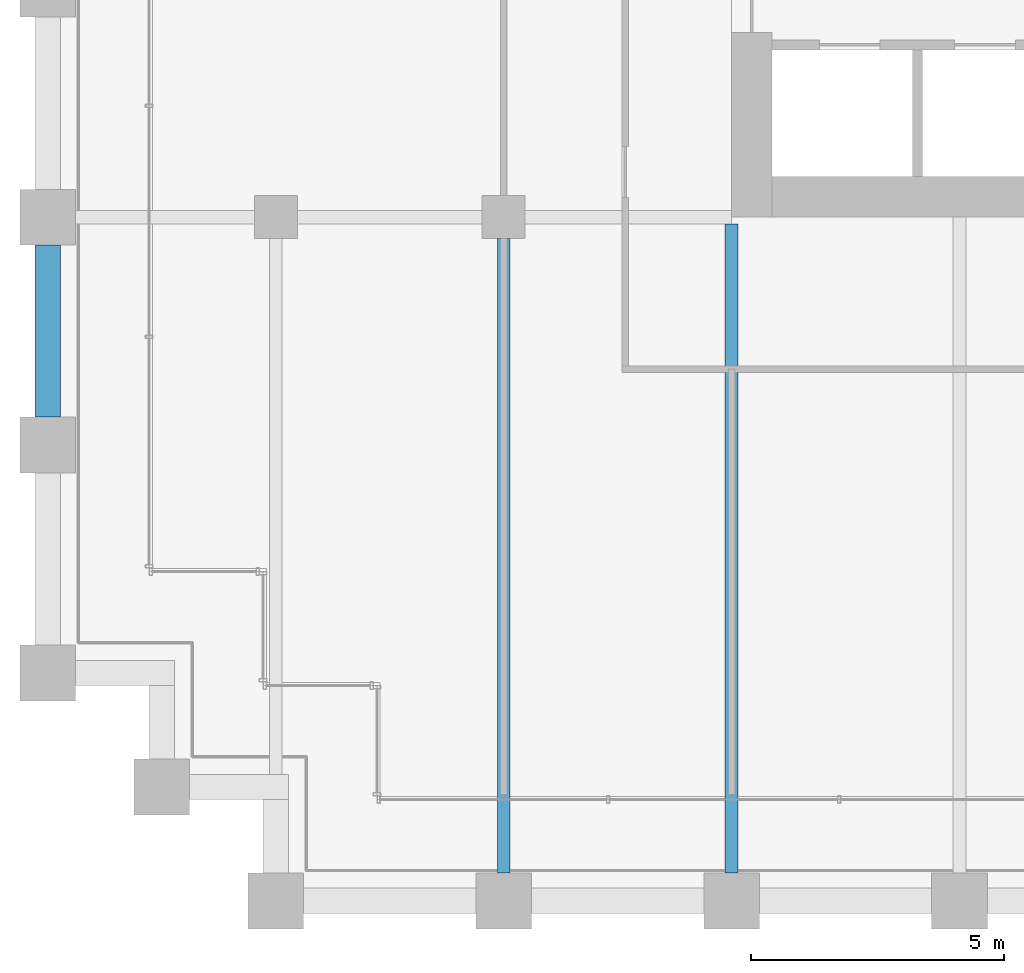
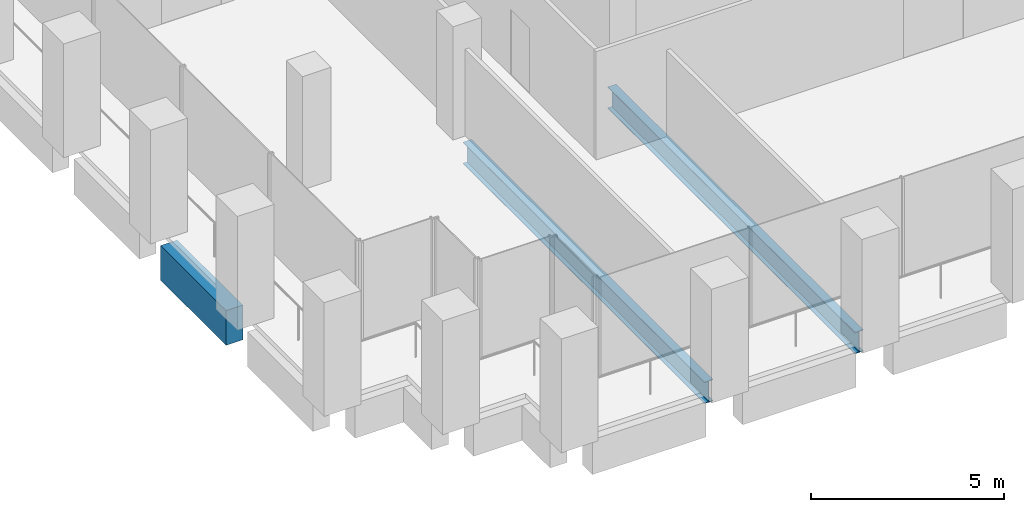
# One storey, part 4 of 54: 3 beams.
"""IFC4 building model written with IfcOpenShell, lengths in metres."""

from ifc_helpers import new_model, si_unit, direction, frame, origin, origin_2d, place, context, subcontext, project, spatial, rectangle, i_section, extrude, material, material_profile, profile_set, type_object, element, save


model = new_model("IFC4")

# Units and contexts
model_context = context("Model", 3, precision=1e-05, world=origin(), true_north=direction((0.0, 1.0)))
body_context = subcontext(model_context, "Body", "Model", "MODEL_VIEW")
ifc_project = project(units=[si_unit("LENGTHUNIT", "METRE"), si_unit("AREAUNIT", "SQUARE_METRE"), si_unit("VOLUMEUNIT", "CUBIC_METRE"), si_unit("PLANEANGLEUNIT", "RADIAN"), si_unit("MASSUNIT", "GRAM", prefix="KILO")], contexts=[model_context])

# Site, building, storey
site_placement = place(None, origin())
site = spatial("IfcSite", under=ifc_project, at=site_placement, CompositionType="ELEMENT")
building_placement = place(site_placement, origin())
building = spatial("IfcBuilding", under=site, at=building_placement, Name="Altepetl Exchange Towers", CompositionType="ELEMENT")
storey_placement = place(building_placement, frame((0.0, 0.0, 58.199951171875)))
storey = spatial("IfcBuildingStorey", under=building, at=storey_placement, Name="L13", CompositionType="ELEMENT", Elevation=58.199951171875)

# Beams
ifc_material_1 = material(Name="Steel S355", Category="steel")
ifc_material_profile_1 = material_profile(ifc_material_1, i_section(OverallWidth=0.25390625, OverallDepth=0.68408203125, WebThickness=0.012451171875, FlangeThickness=0.018798828125, at=origin_2d()), Name="W27X94")
ifc_profile_set_1 = profile_set([ifc_material_profile_1], Name="Steel S355")
beam_type_1 = type_object("IfcBeamType", Name="Floor beam W27X94", PredefinedType="BEAM", material=ifc_profile_set_1)
beam_1_placement = place(storey_placement, frame((36.0, 27.550048828125, -0.491943359375), z_axis=(0.0, 1.0, 0.0), x_axis=(-1.0, 0.0, 0.0)))
element("IfcBeam", 1, at=beam_1_placement, inside=storey, type_object=beam_type_1, Name="bm:A:L13:013", PredefinedType="BEAM", context=body_context, shape_type="SweptSolid", body=[
    extrude(i_section(OverallWidth=0.25390625, OverallDepth=0.68408203125, WebThickness=0.012451171875, FlangeThickness=0.018798828125, at=origin_2d()), origin(), (0.0, 0.0, 1.0), 12.52490234375),
])
beam_2_placement = place(storey_placement, frame((40.5, 27.550048828125, -0.491943359375), z_axis=(0.0, 1.0, 0.0), x_axis=(-1.0, 0.0, 0.0)))
element("IfcBeam", 2, at=beam_2_placement, inside=storey, type_object=beam_type_1, Name="bm:A:L13:014", PredefinedType="BEAM", context=body_context, shape_type="SweptSolid", body=[
    extrude(i_section(OverallWidth=0.25390625, OverallDepth=0.68408203125, WebThickness=0.012451171875, FlangeThickness=0.018798828125, at=origin_2d()), origin(), (0.0, 0.0, 1.0), 12.81591796875),
])
ifc_material_2 = material(Name="Concrete C50/60 precast with cantera blanca facing", Category="concrete")
ifc_material_profile_2 = material_profile(ifc_material_2, rectangle(XDim=0.5, YDim=1.10009765625, at=origin_2d()), Name="500 x 1100")
ifc_profile_set_2 = profile_set([ifc_material_profile_2], Name="Concrete C50/60 precast with cantera blanca facing")
beam_type_2 = type_object("IfcBeamType", Name="Spandrel beam 500x1100 cantera blanca", PredefinedType="SPANDREL", material=ifc_profile_set_2)
beam_3_placement = place(storey_placement, frame((27.0, 39.949951171875, -0.699951171875), z_axis=(0.0, -1.0, 0.0), x_axis=(1.0, 0.0, 0.0)))
element("IfcBeam", 3, at=beam_3_placement, inside=storey, type_object=beam_type_2, Name="sp:A:L13:042", PredefinedType="SPANDREL", context=body_context, shape_type="SweptSolid", body=[
    extrude(rectangle(XDim=0.5, YDim=1.10009765625, at=origin_2d()), origin(), (0.0, 0.0, 1.0), 3.39990234375),
])

save(model, "model.ifc")
